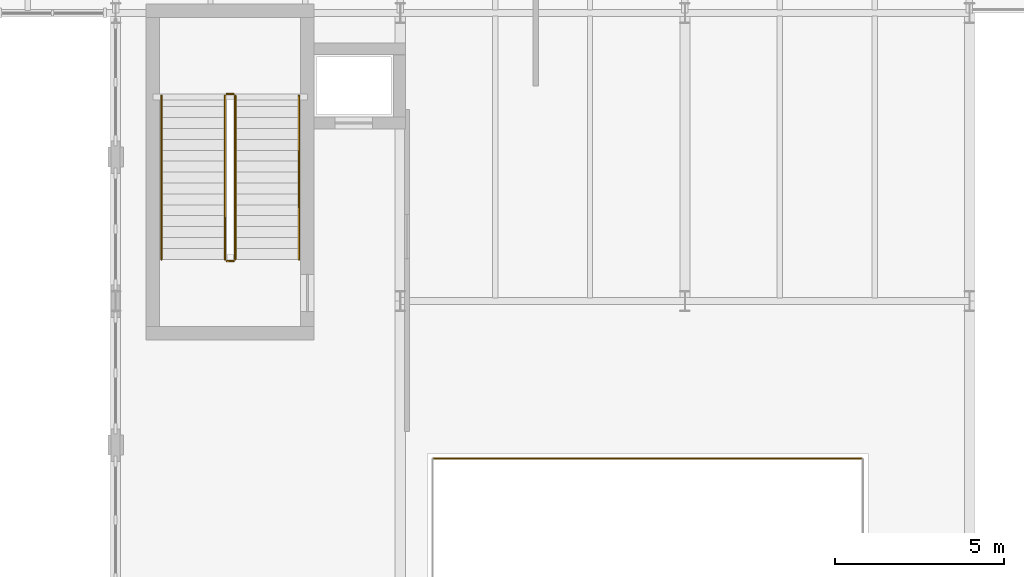
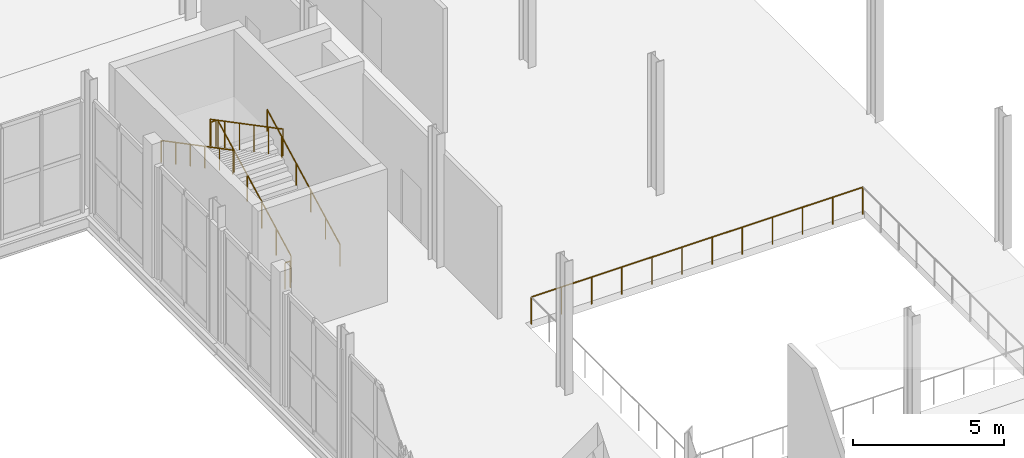
# One storey, part 73 of 78: 7 railings.
"""IFC4 building model written with IfcOpenShell, lengths in metres."""

from ifc_helpers import new_model, si_unit, direction, frame, origin, origin_2d, place, context, subcontext, project, spatial, circle, extrude, material, type_object, element, save


model = new_model("IFC4")

# Units and contexts
model_context = context("Model", 3, precision=1e-05, world=origin(), true_north=direction((0.0, 1.0)))
body_context = subcontext(model_context, "Body", "Model", "MODEL_VIEW")
ifc_project = project(units=[si_unit("LENGTHUNIT", "METRE"), si_unit("AREAUNIT", "SQUARE_METRE"), si_unit("VOLUMEUNIT", "CUBIC_METRE"), si_unit("PLANEANGLEUNIT", "RADIAN"), si_unit("MASSUNIT", "GRAM", prefix="KILO")], contexts=[model_context])

# Site, building, storey
site_placement = place(None, origin())
site = spatial("IfcSite", under=ifc_project, at=site_placement, CompositionType="ELEMENT")
building_placement = place(site_placement, origin())
building = spatial("IfcBuilding", under=site, at=building_placement, Name="Sefraquen Railside Congress Hotel", CompositionType="ELEMENT")
storey_placement = place(building_placement, frame((0.0, 0.0, 6.0)))
storey = spatial("IfcBuildingStorey", under=building, at=storey_placement, Name="L01", CompositionType="ELEMENT", Elevation=6.0)

# Railings
ifc_material = material(Name="Patinated wrought architectural bronze", Category="metal")
railing_type_1 = type_object("IfcRailingType", Name="TRL-BAL-110", PredefinedType="BALUSTRADE", material=ifc_material)
railing_1_placement = place(storey_placement, frame((125.25, 74.85009765625, 0.0)))
element("IfcRailing", 1, at=railing_1_placement, inside=storey, type_object=railing_type_1, Name="Covered Public Passage atrium void guard L01", PredefinedType="BALUSTRADE", context=body_context, shape_type="SweptSolid", body=[
    extrude(circle(Radius=0.02392578125, at=origin_2d()), frame((0.0, 0.0, 1.09619140625), z_axis=(-1.0, 0.0, 0.0), x_axis=(0.0, -1.0, 0.0)), (0.0, 0.0, 1.0), 12.699951171875),
    extrude(circle(Radius=0.02099609375, at=origin_2d()), origin(), (0.0, 0.0, 1.0), 1.072021484375),
    extrude(circle(Radius=0.02099609375, at=origin_2d()), frame((-1.154541015625, 0.0, 0.0)), (0.0, 0.0, 1.0), 1.072021484375),
    extrude(circle(Radius=0.02099609375, at=origin_2d()), frame((-2.30908203125, 0.0, 0.0)), (0.0, 0.0, 1.0), 1.072021484375),
    extrude(circle(Radius=0.02099609375, at=origin_2d()), frame((-3.463623046875, 0.0, 0.0)), (0.0, 0.0, 1.0), 1.072021484375),
    extrude(circle(Radius=0.02099609375, at=origin_2d()), frame((-4.6181640625, 0.0, 0.0)), (0.0, 0.0, 1.0), 1.072021484375),
    extrude(circle(Radius=0.02099609375, at=origin_2d()), frame((-5.772705078125, 0.0, 0.0)), (0.0, 0.0, 1.0), 1.072021484375),
    extrude(circle(Radius=0.02099609375, at=origin_2d()), frame((-6.92724609375, 0.0, 0.0)), (0.0, 0.0, 1.0), 1.072021484375),
    extrude(circle(Radius=0.02099609375, at=origin_2d()), frame((-8.081787109375, 0.0, 0.0)), (0.0, 0.0, 1.0), 1.072021484375),
    extrude(circle(Radius=0.02099609375, at=origin_2d()), frame((-9.236328125, 0.0, 0.0)), (0.0, 0.0, 1.0), 1.072021484375),
    extrude(circle(Radius=0.02099609375, at=origin_2d()), frame((-10.390869140625, 0.0, 0.0)), (0.0, 0.0, 1.0), 1.072021484375),
    extrude(circle(Radius=0.02099609375, at=origin_2d()), frame((-11.54541015625, 0.0, 0.0)), (0.0, 0.0, 1.0), 1.072021484375),
    extrude(circle(Radius=0.02099609375, at=origin_2d()), frame((-12.699951171875, 0.0, 0.0)), (0.0, 0.0, 1.0), 1.072021484375),
])
railing_2_placement = place(storey_placement, frame((106.72998046875, 80.72998046875, 0.168701171875)))
element("IfcRailing", 2, at=railing_2_placement, inside=storey, type_object=railing_type_1, Name="L01 ST-M01 stair guard 1", PredefinedType="BALUSTRADE", context=body_context, shape_type="SweptSolid", body=[
    extrude(circle(Radius=0.02392578125, at=origin_2d()), frame((0.0, 0.0, 1.076171875), z_axis=(0.0, 0.885740383855, 0.46418096946), x_axis=(-1.0, 0.0, 0.0)), (0.0, 0.0, 1.0), 5.453125),
    extrude(circle(Radius=0.02099609375, at=origin_2d()), origin(), (0.0, 0.0, 1.0), 1.052001953125),
    extrude(circle(Radius=0.02099609375, at=origin_2d()), frame((0.0, 0.966064453125, 0.50634765625)), (0.0, 0.0, 1.0), 1.052001953125),
    extrude(circle(Radius=0.02099609375, at=origin_2d()), frame((0.0, 1.93212890625, 1.012451171875)), (0.0, 0.0, 1.0), 1.052001953125),
    extrude(circle(Radius=0.02099609375, at=origin_2d()), frame((0.0, 2.89794921875, 1.518798828125)), (0.0, 0.0, 1.0), 1.052001953125),
    extrude(circle(Radius=0.02099609375, at=origin_2d()), frame((0.0, 3.864013671875, 2.02490234375)), (0.0, 0.0, 1.0), 1.052001953125),
    extrude(circle(Radius=0.02099609375, at=origin_2d()), frame((0.0, 4.830078125, 2.53125)), (0.0, 0.0, 1.0), 1.052001953125),
])
railing_3_placement = place(storey_placement, frame((106.679931640625, 85.610107421875, 2.699951171875)))
element("IfcRailing", 3, at=railing_3_placement, inside=storey, type_object=railing_type_1, Name="L01 ST-M01 stair guard 2", PredefinedType="BALUSTRADE", context=body_context, shape_type="SweptSolid", body=[
    extrude(circle(Radius=0.02392578125, at=origin_2d()), frame((0.0, 0.0, 1.076171875), z_axis=(-1.0, 0.0, 0.0), x_axis=(0.0, -1.0, 0.0)), (0.0, 0.0, 1.0), 0.199951171875),
    extrude(circle(Radius=0.02099609375, at=origin_2d()), origin(), (0.0, 0.0, 1.0), 1.052001953125),
    extrude(circle(Radius=0.02099609375, at=origin_2d()), frame((-0.199951171875, 0.0, 0.0)), (0.0, 0.0, 1.0), 1.052001953125),
])
railing_4_placement = place(storey_placement, frame((106.429931640625, 85.56005859375, 2.86865234375)))
element("IfcRailing", 4, at=railing_4_placement, inside=storey, type_object=railing_type_1, Name="L01 ST-M01 stair guard 3", PredefinedType="BALUSTRADE", context=body_context, shape_type="SweptSolid", body=[
    extrude(circle(Radius=0.02392578125, at=origin_2d()), frame((0.0, 0.0, 1.076171875), z_axis=(0.0, -0.885740383855, 0.46418096946), x_axis=(1.0, 0.0, 0.0)), (0.0, 0.0, 1.0), 5.453125),
    extrude(circle(Radius=0.02099609375, at=origin_2d()), origin(), (0.0, 0.0, 1.0), 1.052001953125),
    extrude(circle(Radius=0.02099609375, at=origin_2d()), frame((0.0, -0.966064453125, 0.50634765625)), (0.0, 0.0, 1.0), 1.052001953125),
    extrude(circle(Radius=0.02099609375, at=origin_2d()), frame((0.0, -1.93212890625, 1.012451171875)), (0.0, 0.0, 1.0), 1.052001953125),
    extrude(circle(Radius=0.02099609375, at=origin_2d()), frame((0.0, -2.89794921875, 1.518798828125)), (0.0, 0.0, 1.0), 1.052001953125),
    extrude(circle(Radius=0.02099609375, at=origin_2d()), frame((0.0, -3.864013671875, 2.02490234375)), (0.0, 0.0, 1.0), 1.052001953125),
    extrude(circle(Radius=0.02099609375, at=origin_2d()), frame((0.0, -4.830078125, 2.53125)), (0.0, 0.0, 1.0), 1.052001953125),
])
railing_5_placement = place(storey_placement, frame((106.679931640625, 80.679931640625, 0.0)))
element("IfcRailing", 5, at=railing_5_placement, inside=storey, type_object=railing_type_1, Name="L01 ST-M01 stair guard 4", PredefinedType="BALUSTRADE", context=body_context, shape_type="SweptSolid", body=[
    extrude(circle(Radius=0.02392578125, at=origin_2d()), frame((0.0, 0.0, 1.076171875), z_axis=(-1.0, 0.0, 0.0), x_axis=(0.0, -1.0, 0.0)), (0.0, 0.0, 1.0), 0.199951171875),
    extrude(circle(Radius=0.02099609375, at=origin_2d()), origin(), (0.0, 0.0, 1.0), 1.052001953125),
    extrude(circle(Radius=0.02099609375, at=origin_2d()), frame((-0.199951171875, 0.0, 0.0)), (0.0, 0.0, 1.0), 1.052001953125),
])
railing_type_2 = type_object("IfcRailingType", Name="TRL-HR-090", PredefinedType="HANDRAIL", material=ifc_material)
railing_6_placement = place(storey_placement, frame((108.610107421875, 80.72998046875, 0.168701171875)))
element("IfcRailing", 6, at=railing_6_placement, inside=storey, type_object=railing_type_2, Name="L01 ST-M01 stair handrail 1", PredefinedType="HANDRAIL", context=body_context, shape_type="SweptSolid", body=[
    extrude(circle(Radius=0.02392578125, at=origin_2d()), frame((0.0, 0.0, 0.8759765625), z_axis=(0.0, 0.885740383855, 0.46418096946), x_axis=(-1.0, 0.0, 0.0)), (0.0, 0.0, 1.0), 5.453125),
    extrude(circle(Radius=0.02099609375, at=origin_2d()), origin(), (0.0, 0.0, 1.0), 0.851806640625),
    extrude(circle(Radius=0.02099609375, at=origin_2d()), frame((0.0, 0.966064453125, 0.50634765625)), (0.0, 0.0, 1.0), 0.851806640625),
    extrude(circle(Radius=0.02099609375, at=origin_2d()), frame((0.0, 1.93212890625, 1.012451171875)), (0.0, 0.0, 1.0), 0.851806640625),
    extrude(circle(Radius=0.02099609375, at=origin_2d()), frame((0.0, 2.89794921875, 1.518798828125)), (0.0, 0.0, 1.0), 0.851806640625),
    extrude(circle(Radius=0.02099609375, at=origin_2d()), frame((0.0, 3.864013671875, 2.02490234375)), (0.0, 0.0, 1.0), 0.851806640625),
    extrude(circle(Radius=0.02099609375, at=origin_2d()), frame((0.0, 4.830078125, 2.53125)), (0.0, 0.0, 1.0), 0.851806640625),
])
railing_7_placement = place(storey_placement, frame((104.550048828125, 85.56005859375, 2.86865234375)))
element("IfcRailing", 7, at=railing_7_placement, inside=storey, type_object=railing_type_2, Name="L01 ST-M01 stair handrail 2", PredefinedType="HANDRAIL", context=body_context, shape_type="SweptSolid", body=[
    extrude(circle(Radius=0.02392578125, at=origin_2d()), frame((0.0, 0.0, 0.8759765625), z_axis=(0.0, -0.885740383855, 0.46418096946), x_axis=(1.0, 0.0, 0.0)), (0.0, 0.0, 1.0), 5.453125),
    extrude(circle(Radius=0.02099609375, at=origin_2d()), origin(), (0.0, 0.0, 1.0), 0.851806640625),
    extrude(circle(Radius=0.02099609375, at=origin_2d()), frame((0.0, -0.966064453125, 0.50634765625)), (0.0, 0.0, 1.0), 0.851806640625),
    extrude(circle(Radius=0.02099609375, at=origin_2d()), frame((0.0, -1.93212890625, 1.012451171875)), (0.0, 0.0, 1.0), 0.851806640625),
    extrude(circle(Radius=0.02099609375, at=origin_2d()), frame((0.0, -2.89794921875, 1.518798828125)), (0.0, 0.0, 1.0), 0.851806640625),
    extrude(circle(Radius=0.02099609375, at=origin_2d()), frame((0.0, -3.864013671875, 2.02490234375)), (0.0, 0.0, 1.0), 0.851806640625),
    extrude(circle(Radius=0.02099609375, at=origin_2d()), frame((0.0, -4.830078125, 2.53125)), (0.0, 0.0, 1.0), 0.851806640625),
])

save(model, "model.ifc")
